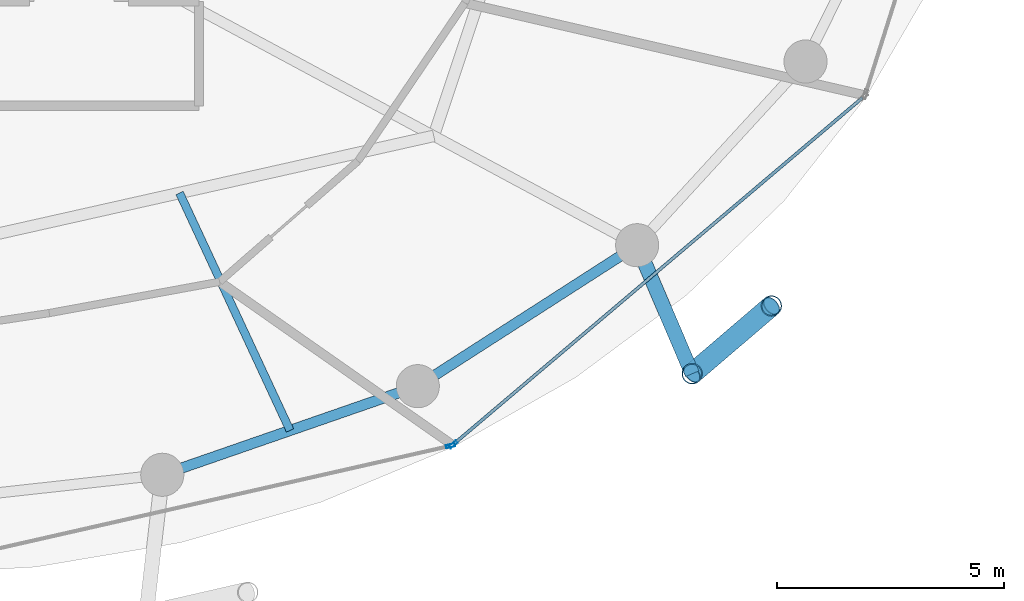
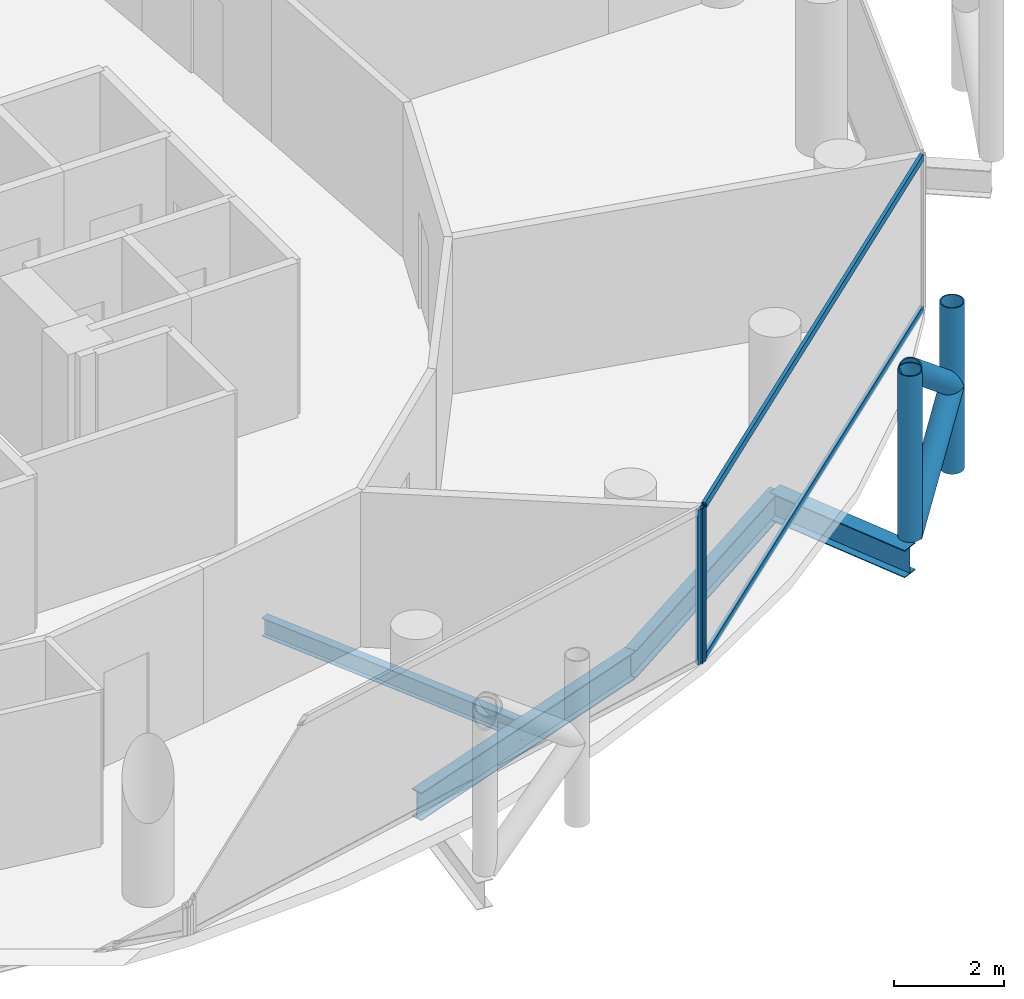
# One storey, part 8 of 26: 8 members, 4 beams, 2 elements without a shape of their own.
"""IFC4 building model written with IfcOpenShell, lengths in metres."""

from ifc_helpers import new_model, si_unit, direction, frame, origin, origin_2d, place, context, subcontext, project, spatial, hollow_rectangle, hollow_circle, i_section, extrude, material, layer, layer_set, material_profile, profile_set, type_object, element, aggregate, save


model = new_model("IFC4")

# Units and contexts
model_context = context("Model", 3, precision=1e-05, world=origin(), true_north=direction((0.0, 1.0)))
body_context = subcontext(model_context, "Body", "Model", "MODEL_VIEW")
ifc_project = project(units=[si_unit("LENGTHUNIT", "METRE"), si_unit("AREAUNIT", "SQUARE_METRE"), si_unit("VOLUMEUNIT", "CUBIC_METRE"), si_unit("PLANEANGLEUNIT", "RADIAN"), si_unit("MASSUNIT", "GRAM", prefix="KILO")], contexts=[model_context])

# Site, building, storey
site_placement = place(None, origin())
site = spatial("IfcSite", under=ifc_project, at=site_placement, CompositionType="ELEMENT")
building_placement = place(site_placement, origin())
building = spatial("IfcBuilding", under=site, at=building_placement, Name="Nuhasar Tower", CompositionType="ELEMENT")
storey_placement = place(building_placement, frame((0.0, 0.0, 151.550048828125)))
storey = spatial("IfcBuildingStorey", under=building, at=storey_placement, Name="L36", CompositionType="ELEMENT", Elevation=151.550048828125)

# Beams
ifc_material_1 = material(Name="Steel S355", Category="steel")
ifc_material_profile_1 = material_profile(ifc_material_1, i_section(OverallWidth=0.177978515625, OverallDepth=0.406005859375, WebThickness=0.0078125, FlangeThickness=0.0126953125, at=origin_2d()), Name="W16X40")
ifc_profile_set_1 = profile_set([ifc_material_profile_1], Name="Steel S355")
beam_type_1 = type_object("IfcBeamType", Name="BM-JST-W16X40", PredefinedType="JOIST", material=ifc_profile_set_1)
beam_1_placement = place(storey_placement, frame((45.424072265625, 14.1279296875, -0.453125), z_axis=(0.421729941201, -0.906721487941, 0.0), x_axis=(0.906721487941, 0.421729941201, 0.0)))
element("IfcBeam", 1, at=beam_1_placement, inside=storey, type_object=beam_type_1, Name="L36 Secondary Floor Joist 02", PredefinedType="JOIST", context=body_context, shape_type="SweptSolid", body=[
    extrude(i_section(OverallWidth=0.177978515625, OverallDepth=0.406005859375, WebThickness=0.0078125, FlangeThickness=0.0126953125, at=origin_2d()), origin(), (0.0, 0.0, 1.0), 5.7734375),
])
ifc_material_profile_2 = material_profile(ifc_material_1, i_section(OverallWidth=0.22998046875, OverallDepth=0.616943359375, WebThickness=0.01318359375, FlangeThickness=0.022216796875, at=origin_2d()), Name="W24X94")
ifc_profile_set_2 = profile_set([ifc_material_profile_2], Name="Steel S355")
beam_type_2 = type_object("IfcBeamType", Name="BM-RING-W24X94", PredefinedType="SPANDREL", material=ifc_profile_set_2)
beam_2_placement = place(storey_placement, frame((45.04296875, 7.916015625, -0.55810546875), z_axis=(0.944814057608, 0.327607076458, 0.0), x_axis=(-0.327607076458, 0.944814057608, 0.0)))
element("IfcBeam", 2, at=beam_2_placement, inside=storey, type_object=beam_type_2, Name="L36 Perimeter Ring Spandrel 20", PredefinedType="SPANDREL", context=body_context, shape_type="SweptSolid", body=[
    extrude(i_section(OverallWidth=0.22998046875, OverallDepth=0.616943359375, WebThickness=0.01318359375, FlangeThickness=0.022216796875, at=origin_2d()), origin(), (0.0, 0.0, 1.0), 5.9609375),
])
beam_3_placement = place(storey_placement, frame((50.675048828125, 9.868896484375, -0.55810546875), z_axis=(0.841308170616, 0.540555789955, 0.0), x_axis=(-0.540555789955, 0.841308170616, 0.0)))
element("IfcBeam", 3, at=beam_3_placement, inside=storey, type_object=beam_type_2, Name="L36 Perimeter Ring Spandrel 21", PredefinedType="SPANDREL", context=body_context, shape_type="SweptSolid", body=[
    extrude(i_section(OverallWidth=0.22998046875, OverallDepth=0.616943359375, WebThickness=0.01318359375, FlangeThickness=0.022216796875, at=origin_2d()), origin(), (0.0, 0.0, 1.0), 5.748046875),
])
ifc_material_profile_3 = material_profile(ifc_material_1, i_section(OverallWidth=0.323974609375, OverallDepth=0.611083984375, WebThickness=0.0126953125, FlangeThickness=0.01904296875, at=origin_2d()), Name="W24X104")
ifc_profile_set_3 = profile_set([ifc_material_profile_3], Name="Steel S355")
beam_type_3 = type_object("IfcBeamType", Name="BM-TIE-W24X104", PredefinedType="BEAM", material=ifc_profile_set_3)
beam_4_placement = place(storey_placement, frame((55.510986328125, 12.97607421875, -0.554931640625), z_axis=(0.39330721304, -0.919407111225, 0.0), x_axis=(0.919407111225, 0.39330721304, 0.0)))
element("IfcBeam", 4, at=beam_4_placement, inside=storey, type_object=beam_type_3, Name="L36 Exoskeleton Node Tie Beam 11", PredefinedType="BEAM", context=body_context, shape_type="SweptSolid", body=[
    extrude(i_section(OverallWidth=0.323974609375, OverallDepth=0.611083984375, WebThickness=0.0126953125, FlangeThickness=0.01904296875, at=origin_2d()), origin(), (0.0, 0.0, 1.0), 3.081298828125),
])

# Curtain wall, member
ifc_material_2 = material(Name="Aluminium 6063-T6", Category="aluminium")
ifc_layer = layer(ifc_material_2, 0.199951171875)
ifc_layer_set = layer_set([ifc_layer], Name="Aluminium 6063-T6")
curtain_wall_type = type_object("IfcCurtainWallType", Name="CW-Z2-HTL", PredefinedType="NOTDEFINED", material=ifc_layer_set)
curtain_wall_1_placement = place(storey_placement, origin())
curtain_wall_1 = element("IfcCurtainWall", 5, at=curtain_wall_1_placement, inside=storey, type_object=curtain_wall_type, Name="L36 Unitised Curtain Wall 10", PredefinedType="NOTDEFINED")
ifc_material_profile_4 = material_profile(ifc_material_2, hollow_rectangle(XDim=0.070068359375, YDim=0.199951171875, WallThickness=0.0048828125, at=origin_2d()), Name="CWM-3")
ifc_profile_set_4 = profile_set([ifc_material_profile_4], Name="Aluminium 6063-T6")
member_type_1 = type_object("IfcMemberType", Name="CW-MUL-S3", PredefinedType="MULLION", material=ifc_profile_set_4)
member_1_placement = place(storey_placement, frame((51.395751953125, 8.55419921875, 0.0), z_axis=(0.0, 0.0, 1.0), x_axis=(-0.22139729566, 0.975183694221, 0.0)))
member_1 = element("IfcMember", 6, at=member_1_placement, type_object=member_type_1, Name="CW-Z2 mullion 2", PredefinedType="MULLION", context=body_context, shape_type="SweptSolid", body=[
    extrude(hollow_rectangle(XDim=0.070068359375, YDim=0.199951171875, WallThickness=0.0048828125, at=origin_2d()), origin(), (0.0, 0.0, 1.0), 3.449951171875),
])
aggregate(curtain_wall_1, [member_1])

# Curtain wall, members
curtain_wall_2_placement = place(storey_placement, origin())
curtain_wall_2 = element("IfcCurtainWall", 7, at=curtain_wall_2_placement, inside=storey, type_object=curtain_wall_type, Name="L36 Unitised Curtain Wall 11", PredefinedType="NOTDEFINED")
member_2_placement = place(storey_placement, frame((51.456787109375, 8.584716796875, 0.0), z_axis=(0.0, 0.0, 1.0), x_axis=(-0.646374438324, 0.763020370292, 0.0)))
member_2 = element("IfcMember", 8, at=member_2_placement, type_object=member_type_1, Name="CW-Z2 mullion 1", PredefinedType="MULLION", context=body_context, shape_type="SweptSolid", body=[
    extrude(hollow_rectangle(XDim=0.070068359375, YDim=0.199951171875, WallThickness=0.0048828125, at=origin_2d()), origin(), (0.0, 0.0, 1.0), 3.449951171875),
])
ifc_material_profile_5 = material_profile(ifc_material_2, hollow_rectangle(XDim=0.070068359375, YDim=0.159912109375, WallThickness=0.00439453125, at=origin_2d()), Name="CWT-3")
ifc_profile_set_5 = profile_set([ifc_material_profile_5], Name="Aluminium 6063-T6")
member_type_2 = type_object("IfcMemberType", Name="CW-TRN-S3", PredefinedType="USERDEFINED", material=ifc_profile_set_5)
member_3_placement = place(storey_placement, frame((51.4833984375, 8.607177734375, 0.034912109375), z_axis=(0.763013698099, 0.646382314511, 0.0), x_axis=(-0.646382314511, 0.763013698099, 0.0)))
member_3 = element("IfcMember", 9, at=member_3_placement, type_object=member_type_2, Name="CW-Z2 transom 1.1", ObjectType="TRANSOM", PredefinedType="USERDEFINED", context=body_context, shape_type="SweptSolid", body=[
    extrude(hollow_rectangle(XDim=0.070068359375, YDim=0.159912109375, WallThickness=0.00439453125, at=origin_2d()), origin(), (0.0, 0.0, 1.0), 11.78515625),
])
member_4_placement = place(storey_placement, frame((51.4833984375, 8.607177734375, 3.4150390625), z_axis=(0.763013698099, 0.646382314511, 0.0), x_axis=(-0.646382314511, 0.763013698099, 0.0)))
member_4 = element("IfcMember", 10, at=member_4_placement, type_object=member_type_2, Name="CW-Z2 transom 1.2", ObjectType="TRANSOM", PredefinedType="USERDEFINED", context=body_context, shape_type="SweptSolid", body=[
    extrude(hollow_rectangle(XDim=0.070068359375, YDim=0.159912109375, WallThickness=0.00439453125, at=origin_2d()), origin(), (0.0, 0.0, 1.0), 11.78515625),
])
aggregate(curtain_wall_2, [member_2, member_3, member_4])

# Members
ifc_material_3 = material(Name="Steel S460", Category="steel")
ifc_material_profile_6 = material_profile(ifc_material_3, hollow_circle(Radius=0.228515625, WallThickness=0.022216796875, at=origin_2d()), Name="HSS457X22.2")
ifc_profile_set_6 = profile_set([ifc_material_profile_6], Name="Steel S460")
member_type_3 = type_object("IfcMemberType", Name="EXO-BRONZE-457", PredefinedType="BRACE", material=ifc_profile_set_6)
for number, where, z_axis, x_axis, name in (
    (11, (56.722900390625, 10.14306640625, 0.0), (0.0, 0.0, 1.0), (1.0, 0.0, 0.0), "L36 Exoskeleton Chord Column EC-11A"),
    (12, (58.470947265625, 11.637939453125, 0.0), (0.0, 0.0, 1.0), (1.0, 0.0, 0.0), "L36 Exoskeleton Chord Column EC-11B"),
):
    element("IfcMember", number, at=place(storey_placement, frame(where, z_axis=z_axis, x_axis=x_axis)), inside=storey, type_object=member_type_3, Name=name, PredefinedType="BRACE", context=body_context, shape_type="SweptSolid", body=[
        extrude(hollow_circle(Radius=0.228515625, WallThickness=0.022216796875, at=origin_2d()), origin(), (0.0, 0.0, 1.0), 3.699951171875),
    ])
member_5_placement = place(storey_placement, frame((56.722900390625, 10.14306640625, 0.0), z_axis=(0.592225874743, 0.506452378638, 0.626717242029), x_axis=(-0.649925557156, 0.7599978751, 0.0)))
element("IfcMember", 13, at=member_5_placement, inside=storey, type_object=member_type_3, Name="L36 Bronze Diagrid Brace W1-11", PredefinedType="BRACE", context=body_context, shape_type="SweptSolid", body=[
    extrude(hollow_circle(Radius=0.228515625, WallThickness=0.022216796875, at=origin_2d()), origin(), (0.0, 0.0, 1.0), 2.95166015625),
])
member_6_placement = place(storey_placement, frame((58.470947265625, 11.637939453125, 1.849853515625), z_axis=(-0.592195175458, -0.506426125604, 0.626767463634), x_axis=(0.649925557156, -0.7599978751, 0.0)))
element("IfcMember", 14, at=member_6_placement, inside=storey, type_object=member_type_3, Name="L36 Bronze Diagrid Brace W2-11", PredefinedType="BRACE", context=body_context, shape_type="SweptSolid", body=[
    extrude(hollow_circle(Radius=0.228515625, WallThickness=0.022216796875, at=origin_2d()), origin(), (0.0, 0.0, 1.0), 2.951904296875),
])

save(model, "model.ifc")
